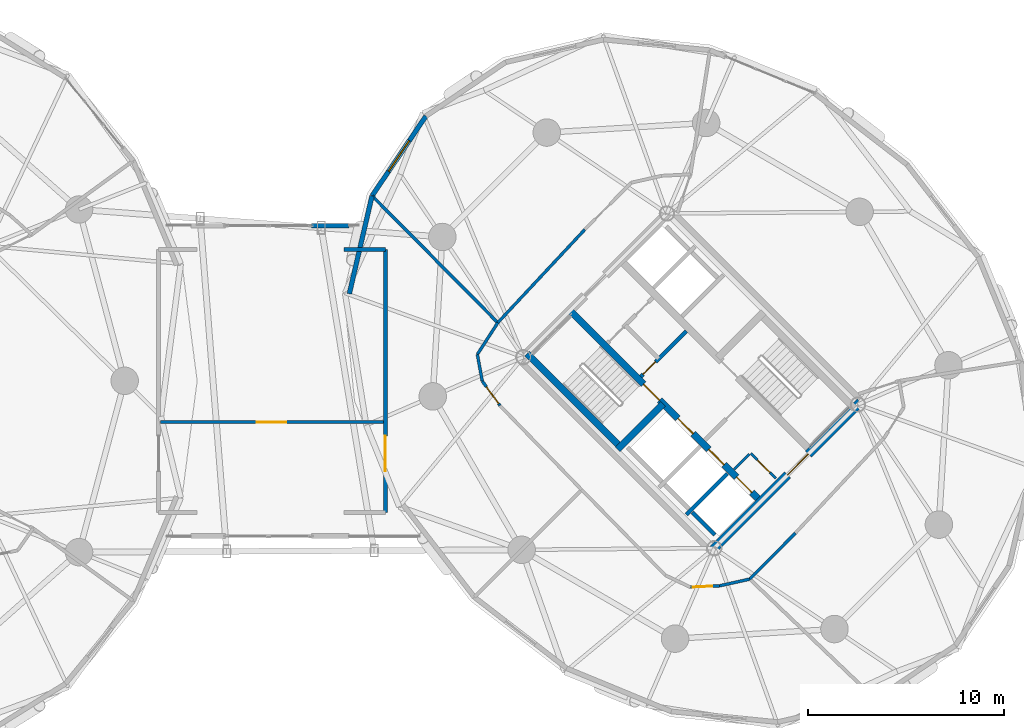
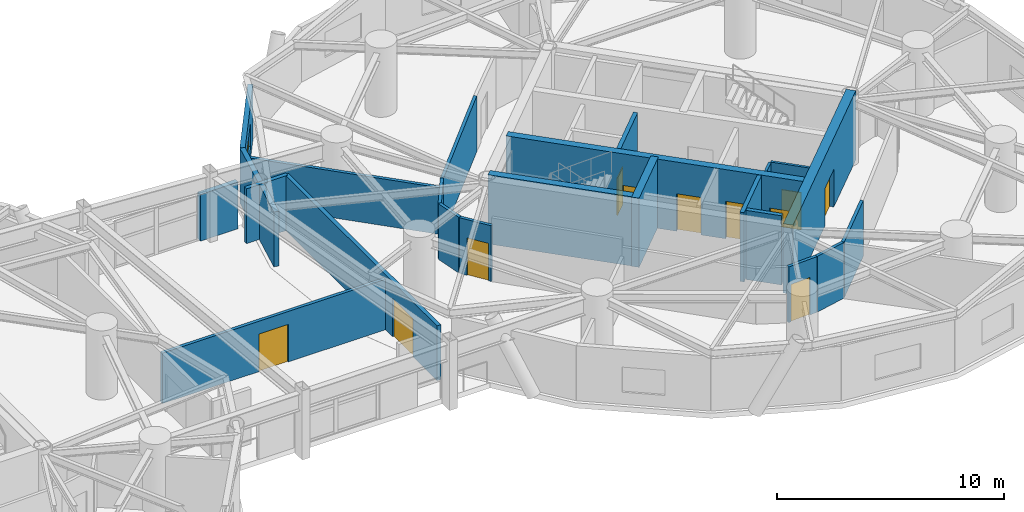
# One storey, part 15 of 19: 23 walls, 11 doors, 1 window, 12 openings.
"""IFC4 building model written with IfcOpenShell, lengths in metres."""

import ifcopenshell
import ifcopenshell.guid

model = None  # the IFC model being written
_history = None  # IfcOwnerHistory: only IFC2X3 demands one
_inside = {}  # id of a spatial element -> (the spatial element, [elements in it])
_under = {}  # id of a project, library or spatial element -> (it, [spatial elements below it])
_declared = {}  # id of a project -> (the project, [libraries it declares])
_typed = {}  # id of a type object -> (the type object, [elements of that type])
_made_of = {}  # id of a material, layer set ... -> (it, [elements and type objects made of it])


def new_model(schema):
    """Start an empty IFC model of exactly this schema.

    Asked for "IFC4X3", IfcOpenShell would pick the latest addendum, in which some entities
    have other attributes; the version numbers below select the first issue.
    IFC2X3 requires an IfcOwnerHistory on every rooted entity: one is made here for all.
    """
    global model, _history
    if schema == "IFC4X3":
        model = ifcopenshell.file(schema_version=(4, 3, 0, 0))
    else:
        model = ifcopenshell.file(schema=schema)
    _inside.clear()
    _under.clear()
    _declared.clear()
    _typed.clear()
    _made_of.clear()
    _history = None
    if model.schema == "IFC2X3":
        org = make("IfcOrganization", Name="unknown")
        user = make(
            "IfcPersonAndOrganization",
            ThePerson=make("IfcPerson", FamilyName="unknown"),
            TheOrganization=org,
        )
        app = make(
            "IfcApplication",
            ApplicationDeveloper=org,
            Version="unknown",
            ApplicationFullName="unknown",
            ApplicationIdentifier="unknown",
        )
        _history = make(
            "IfcOwnerHistory",
            OwningUser=user,
            OwningApplication=app,
            ChangeAction="ADDED",
            CreationDate=0,
        )
    return model


def make(cls, **values):
    """One entity of the class cls with the attributes given. An attribute that is None is left unset."""
    return model.create_entity(
        cls, **{name: value for name, value in values.items() if value is not None}
    )


def rooted(cls, **values):
    """An entity with a GlobalId (a new one), such as an element, a storey or a relation."""
    return make(cls, GlobalId=ifcopenshell.guid.new(), OwnerHistory=_history, **values)


def si_unit(unit_type, name, prefix=None):
    """IfcSIUnit, for example si_unit("LENGTHUNIT", "METRE", prefix="MILLI")."""
    return make("IfcSIUnit", UnitType=unit_type, Prefix=prefix, Name=name)


def assignment(units):
    """IfcUnitAssignment: the units of a project."""
    return None if units is None else make("IfcUnitAssignment", Units=units)


def point(xyz):
    """IfcCartesianPoint."""
    return None if xyz is None else make("IfcCartesianPoint", Coordinates=xyz)


def direction(xyz):
    """IfcDirection."""
    return None if xyz is None else make("IfcDirection", DirectionRatios=xyz)


def frame(location, z_axis=None, x_axis=None):
    """IfcAxis2Placement3D, a coordinate frame: its origin and axes. An axis left out is left unset."""
    return make(
        "IfcAxis2Placement3D",
        Location=point(location),
        Axis=direction(z_axis),
        RefDirection=direction(x_axis),
    )


def frame_2d(location, x_axis=None):
    """IfcAxis2Placement2D, a coordinate frame in the plane: its origin and x axis."""
    return make(
        "IfcAxis2Placement2D", Location=point(location), RefDirection=direction(x_axis)
    )


def origin():
    """The frame at (0, 0, 0) with its axes left unset."""
    return frame((0.0, 0.0, 0.0))


def place(relative_to, where):
    """IfcLocalPlacement: puts the frame where relative to a parent placement (None: the world)."""
    return make(
        "IfcLocalPlacement", PlacementRelTo=relative_to, RelativePlacement=where
    )


def context(
    kind, dimensions, precision=None, world=None, true_north=None, identifier=None
):
    """IfcGeometricRepresentationContext, for example the 3D "Model" context."""
    return make(
        "IfcGeometricRepresentationContext",
        ContextIdentifier=identifier,
        ContextType=kind,
        CoordinateSpaceDimension=dimensions,
        Precision=precision,
        WorldCoordinateSystem=world,
        TrueNorth=true_north,
    )


def subcontext(parent, identifier, kind, view, scale=None):
    """IfcGeometricRepresentationSubContext, for example "Body" below "Model"."""
    return make(
        "IfcGeometricRepresentationSubContext",
        ContextIdentifier=identifier,
        ContextType=kind,
        ParentContext=parent,
        TargetScale=scale,
        TargetView=view,
    )


def project(units=None, contexts=None):
    """IfcProject with its units and contexts."""
    return rooted(
        "IfcProject",
        Name="project",
        RepresentationContexts=contexts,
        UnitsInContext=assignment(units),
    )


def spatial(cls, under=None, at=None, **own):
    """A site, building, storey or space (cls), placed at a placement, below another one or the project."""
    s = rooted(cls, ObjectPlacement=at, **own)
    if under is not None:
        _under.setdefault(under.id(), (under, []))[1].append(s)
    return s


def profile(cls, at=None, kind="AREA", **sizes):
    """A parametric profile (cls). Its sizes go by their IFC names, for example OverallWidth=200.0."""
    return make(cls, ProfileType=kind, Position=at, **sizes)


def rectangle(**sizes):
    """IfcRectangleProfileDef."""
    return profile("IfcRectangleProfileDef", **sizes)


def extrude(swept, where, along, depth):
    """IfcExtrudedAreaSolid: the profile swept, set in the frame where, extruded along a direction by depth."""
    return make(
        "IfcExtrudedAreaSolid",
        SweptArea=swept,
        Position=where,
        ExtrudedDirection=direction(along),
        Depth=depth,
    )


def shape(context_of_items, identifier, shape_type, items):
    """IfcShapeRepresentation: the items that make up one representation, for example the "Body"."""
    return make(
        "IfcShapeRepresentation",
        ContextOfItems=context_of_items,
        RepresentationIdentifier=identifier,
        RepresentationType=shape_type,
        Items=items,
    )


def source(mapping_origin, context_of_items, identifier, shape_type, items):
    """IfcRepresentationMap: a shape defined once, which mapped items show again and again."""
    return make(
        "IfcRepresentationMap",
        MappingOrigin=mapping_origin,
        MappedRepresentation=shape(context_of_items, identifier, shape_type, items),
    )


def transform(
    local_origin,
    x_axis=None,
    y_axis=None,
    z_axis=None,
    scale=None,
    scale2=None,
    scale3=None,
    uniform=True,
):
    """IfcCartesianTransformationOperator3D, or its non-uniform kind. x_axis, y_axis, z_axis: its Axis1, 2, 3."""
    if uniform:
        return make(
            "IfcCartesianTransformationOperator3D",
            Axis1=direction(x_axis),
            Axis2=direction(y_axis),
            LocalOrigin=point(local_origin),
            Scale=scale,
            Axis3=direction(z_axis),
        )
    return make(
        "IfcCartesianTransformationOperator3DnonUniform",
        Axis1=direction(x_axis),
        Axis2=direction(y_axis),
        LocalOrigin=point(local_origin),
        Scale=scale,
        Axis3=direction(z_axis),
        Scale2=scale2,
        Scale3=scale3,
    )


def mapped(mapping_source, mapping_target):
    """IfcMappedItem: shows the shape of a source again, moved by a transform."""
    return make(
        "IfcMappedItem", MappingSource=mapping_source, MappingTarget=mapping_target
    )


def material(Name=None, Category=None):
    """IfcMaterial."""
    return make("IfcMaterial", Name=Name, Category=Category)


def layer(
    of_material, thickness, ventilated=None, Name=None, Category=None, Priority=None
):
    """IfcMaterialLayer: one layer of a wall or slab, of a material (None: an air gap)."""
    return make(
        "IfcMaterialLayer",
        Material=of_material,
        LayerThickness=thickness,
        IsVentilated=ventilated,
        Name=Name,
        Category=Category,
        Priority=Priority,
    )


def layer_set(layers, Name=None):
    """IfcMaterialLayerSet."""
    return make("IfcMaterialLayerSet", MaterialLayers=layers, LayerSetName=Name)


def made_of(thing, what):
    """Note that an element or type object is made of a material, layer set ...; save() writes the relation."""
    if what is not None:
        _made_of.setdefault(what.id(), (what, []))[1].append(thing)
    return thing


def type_object(cls, material=None, **own):
    """A type object (cls), such as IfcWallType, which elements share."""
    return made_of(rooted(cls, **own), material)


def element(
    cls,
    number,
    at=None,
    inside=None,
    cuts=None,
    type_object=None,
    material=None,
    context=None,
    identifier="Body",
    shape_type=None,
    held_by="IfcProductDefinitionShape",
    body=None,
    shapes=None,
    **own,
):
    """One element of the class cls, such as IfcWall. Its Tag is "e" and its number.

    at: its placement. inside: the storey or other place that contains it. cuts: it is an
    opening in that element (IfcRelVoidsElement). A single representation is given by context,
    identifier, shape_type and body (its items); several are given by shapes. held_by: the class
    of the entity that holds the representations. save() writes the other relations.
    """
    e = rooted(cls, Tag="e%d" % number, ObjectPlacement=at, **own)
    if body is not None:
        shapes = [shape(context, identifier, shape_type, body)]
    if shapes is not None:
        e.Representation = make(held_by, Representations=shapes)
    if inside is not None:
        _inside.setdefault(inside.id(), (inside, []))[1].append(e)
    if cuts is not None:
        rooted(
            "IfcRelVoidsElement", RelatingBuildingElement=cuts, RelatedOpeningElement=e
        )
    if type_object is not None:
        _typed.setdefault(type_object.id(), (type_object, []))[1].append(e)
    return made_of(e, material)


def fill(opening, filler):
    """IfcRelFillsElement: the door or window that sits in an opening."""
    return rooted(
        "IfcRelFillsElement",
        RelatingOpeningElement=opening,
        RelatedBuildingElement=filler,
    )


def aggregate(whole, parts):
    """IfcRelAggregates: a whole, such as a stair, and the parts it consists of."""
    return rooted("IfcRelAggregates", RelatingObject=whole, RelatedObjects=parts)


def save(model, path):
    """Write the relations noted so far, then the file.

    IfcRelAggregates (storeys below a building ...), IfcRelContainedInSpatialStructure (elements
    in a storey), IfcRelDefinesByType, IfcRelAssociatesMaterial and IfcRelDeclares: one each for
    every whole, place, type object, material and project.
    """
    for whole, parts in _under.values():
        aggregate(whole, parts)
    for where, things in _inside.values():
        rooted(
            "IfcRelContainedInSpatialStructure",
            RelatedElements=things,
            RelatingStructure=where,
        )
    for kind, things in _typed.values():
        rooted("IfcRelDefinesByType", RelatedObjects=things, RelatingType=kind)
    for what, things in _made_of.values():
        rooted("IfcRelAssociatesMaterial", RelatedObjects=things, RelatingMaterial=what)
    for by, libraries in _declared.values():
        rooted("IfcRelDeclares", RelatingContext=by, RelatedDefinitions=libraries)
    model.write(path)


model = new_model("IFC4")

# Units and contexts
model_context = context("Model", 3, precision=1e-05, world=origin(), true_north=direction((0.0, 1.0)))
body_context = subcontext(model_context, "Body", "Model", "MODEL_VIEW")
ifc_project = project(units=[si_unit("LENGTHUNIT", "METRE"), si_unit("AREAUNIT", "SQUARE_METRE"), si_unit("VOLUMEUNIT", "CUBIC_METRE"), si_unit("PLANEANGLEUNIT", "RADIAN"), si_unit("MASSUNIT", "GRAM", prefix="KILO")], contexts=[model_context])

# Site, building, storey
site_placement = place(None, origin())
site = spatial("IfcSite", under=ifc_project, at=site_placement, CompositionType="ELEMENT")
building_placement = place(site_placement, origin())
building = spatial("IfcBuilding", under=site, at=building_placement, Name="Cununo Teusaquillo Station Towers", CompositionType="ELEMENT")
storey_placement = place(building_placement, frame((0.0, 0.0, 132.8798828125)))
storey = spatial("IfcBuildingStorey", under=building, at=storey_placement, Name="L42", CompositionType="ELEMENT", Elevation=132.8798828125)

# Walls
ifc_material_1 = material(Name="Concrete C50/60", Category="concrete")
ifc_layer_1 = layer(ifc_material_1, 0.199951171875)
ifc_layer_set_1 = layer_set([ifc_layer_1], Name="Concrete C50/60")
wall_type_1 = type_object("IfcWallType", Name="WL-CORE-200", PredefinedType="SHEAR", material=ifc_layer_set_1)
wall_1_placement = place(storey_placement, frame((57.2841796875, 17.6728515625, 0.0), z_axis=(0.0, 0.0, 1.0), x_axis=(0.707147878904, 0.70706568108, 0.0)))
element("IfcWall", 1, at=wall_1_placement, inside=storey, type_object=wall_type_1, Name="L42 Tower B High-Rise Lift Hoistway Divider Shear Wall", PredefinedType="SHEAR", context=body_context, shape_type="SweptSolid", body=[
    extrude(rectangle(XDim=2.97021484375, YDim=0.199951171875, at=frame_2d((1.485107421875, 0.0))), origin(), (0.0, 0.0, 1.0), 3.72021484375),
])
wall_2_placement = place(storey_placement, frame((58.7373046875, 16.64404296875, 0.0), z_axis=(0.0, 0.0, 1.0), x_axis=(-0.707032117043, 0.707181437447, 0.0)))
element("IfcWall", 2, at=wall_2_placement, inside=storey, type_object=wall_type_1, Name="L42 Tower B High-Rise Lift 1 Shaft Rear Shear Wall", PredefinedType="SHEAR", context=body_context, shape_type="SweptSolid", body=[
    extrude(rectangle(XDim=1.635009765625, YDim=0.199951171875, at=frame_2d((0.8173828125, 0.0))), origin(), (0.0, 0.0, 1.0), 3.72021484375),
])

# Wall, openings, doors
ifc_material_2 = material(Name="Concrete C50/60", Category="concrete")
ifc_layer_2 = layer(ifc_material_2, 0.35009765625)
ifc_layer_set_2 = layer_set([ifc_layer_2], Name="Concrete C50/60")
wall_type_2 = type_object("IfcWallType", Name="WL-CORE-350", PredefinedType="SHEAR", material=ifc_layer_set_2)
wall_3_placement = place(storey_placement, frame((61.077880859375, 18.355224609375, 0.0), z_axis=(0.0, 0.0, 1.0), x_axis=(-0.707106781187, 0.707106781187, 0.0)))
wall_3 = element("IfcWall", 3, at=wall_3_placement, inside=storey, type_object=wall_type_2, Name="L42 Tower B Core Shear Wall IW", PredefinedType="SHEAR", context=body_context, shape_type="SweptSolid", body=[
    extrude(rectangle(XDim=13.75, YDim=0.35009765625, at=frame_2d((6.875, 0.0))), origin(), (0.0, 0.0, 1.0), 3.72021484375),
])
shared_shape_1 = source(origin(), body_context, "Body", "SweptSolid", [
    extrude(rectangle(XDim=1.10009765625, YDim=2.014892578125, at=frame_2d((0.550048828125, 1.00732421875))), frame((0.0, 0.18505859375, 0.0), z_axis=(0.0, -1.0, 0.0), x_axis=(1.0, 0.0, 0.0)), (0.0, 0.0, 1.0), 0.3701171875),
])
opening_1_placement = place(wall_3_placement, frame((4.875, 0.0, 0.0)))
opening_1 = element("IfcOpeningElement", 4, at=opening_1_placement, cuts=wall_3, Name="Opening LD-01", PredefinedType="OPENING", context=body_context, shape_type="MappedRepresentation", body=[
    mapped(shared_shape_1, transform((0.0, 0.0, 0.0), x_axis=(1.0, 0.0, 0.0), y_axis=(0.0, 1.0, 0.0), z_axis=(0.0, 0.0, 1.0), scale=1.0)),
])
opening_2_placement = place(wall_3_placement, frame((0.64990234375, 0.0, 0.0)))
opening_2 = element("IfcOpeningElement", 5, at=opening_2_placement, cuts=wall_3, Name="Opening LD-01", PredefinedType="OPENING", context=body_context, shape_type="MappedRepresentation", body=[
    mapped(shared_shape_1, transform((0.0, 0.0, 0.0), x_axis=(1.0, 0.0, 0.0), y_axis=(0.0, 1.0, 0.0), z_axis=(0.0, 0.0, 1.0), scale=1.0)),
])
opening_3_placement = place(wall_3_placement, frame((2.64990234375, 0.0, 0.0)))
opening_3 = element("IfcOpeningElement", 6, at=opening_3_placement, cuts=wall_3, Name="Opening LD-01", PredefinedType="OPENING", context=body_context, shape_type="MappedRepresentation", body=[
    mapped(shared_shape_1, transform((0.0, 0.0, 0.0), x_axis=(1.0, 0.0, 0.0), y_axis=(0.0, 1.0, 0.0), z_axis=(0.0, 0.0, 1.0), scale=1.0)),
])
shared_shape_2 = source(origin(), body_context, "Body", "SweptSolid", [
    extrude(rectangle(XDim=1.14990234375, YDim=2.02001953125, at=frame_2d((0.574951171875, 1.010009765625))), frame((0.0, 0.18505859375, 0.0), z_axis=(0.0, -1.0, 0.0), x_axis=(1.0, 0.0, 0.0)), (0.0, 0.0, 1.0), 0.3701171875),
])
opening_4_placement = place(wall_3_placement, frame((7.294921875, 0.0, 0.0)))
opening_4 = element("IfcOpeningElement", 7, at=opening_4_placement, cuts=wall_3, Name="Opening D-ST1", PredefinedType="OPENING", context=body_context, shape_type="MappedRepresentation", body=[
    mapped(shared_shape_2, transform((0.0, 0.0, 0.0), x_axis=(1.0, 0.0, 0.0), y_axis=(0.0, 1.0, 0.0), z_axis=(0.0, 0.0, 1.0), scale=1.0)),
])
ifc_material_3 = material(Name="Galvanised fire-rated hollow steel door assembly", Category="steel")
door_type_1 = type_object("IfcDoorType", Name="DR-LIFT-1100", OperationType="SLIDING_TO_LEFT", PredefinedType="DOOR", material=ifc_material_3)
shared_shape_3 = source(origin(), body_context, "Body", "SweptSolid", [
    extrude(rectangle(XDim=1.10009765625, YDim=2.014892578125, at=frame_2d((0.550048828125, 1.00732421875))), frame((0.0, 0.02490234375, 0.0), z_axis=(0.0, -1.0, 0.0), x_axis=(1.0, 0.0, 0.0)), (0.0, 0.0, 1.0), 0.050048828125),
])
door_1_placement = place(opening_1_placement, origin())
door_1 = element("IfcDoor", 8, at=door_1_placement, inside=storey, type_object=door_type_1, Name="L42 Lift FL-T2 Sliding Landing Door", OperationType="SLIDING_TO_RIGHT", OverallHeight=2.014892578125, OverallWidth=1.10009765625, PredefinedType="DOOR", context=body_context, shape_type="MappedRepresentation", body=[
    mapped(shared_shape_3, transform((0.0, 0.0, 0.0), x_axis=(1.0, 0.0, 0.0), y_axis=(0.0, 1.0, 0.0), z_axis=(0.0, 0.0, 1.0), scale=1.0)),
])
fill(opening_1, door_1)
door_2_placement = place(opening_2_placement, origin())
door_2 = element("IfcDoor", 9, at=door_2_placement, inside=storey, type_object=door_type_1, Name="L42 Lift PL-T2-H1 Sliding Landing Door", OperationType="SLIDING_TO_RIGHT", OverallHeight=2.014892578125, OverallWidth=1.10009765625, PredefinedType="DOOR", context=body_context, shape_type="MappedRepresentation", body=[
    mapped(shared_shape_3, transform((0.0, 0.0, 0.0), x_axis=(1.0, 0.0, 0.0), y_axis=(0.0, 1.0, 0.0), z_axis=(0.0, 0.0, 1.0), scale=1.0)),
])
fill(opening_2, door_2)
door_3_placement = place(opening_3_placement, origin())
door_3 = element("IfcDoor", 10, at=door_3_placement, inside=storey, type_object=door_type_1, Name="L42 Lift PL-T2-H2 Sliding Landing Door", OperationType="SLIDING_TO_LEFT", OverallHeight=2.014892578125, OverallWidth=1.10009765625, PredefinedType="DOOR", context=body_context, shape_type="MappedRepresentation", body=[
    mapped(shared_shape_3, transform((0.0, 0.0, 0.0), x_axis=(1.0, 0.0, 0.0), y_axis=(0.0, 1.0, 0.0), z_axis=(0.0, 0.0, 1.0), scale=1.0)),
])
fill(opening_3, door_3)
ifc_material_4 = material(Name="Galvanised fire-rated hollow steel door assembly", Category="steel")
door_type_2 = type_object("IfcDoorType", Name="DR-STAIR-1150", OperationType="NOTDEFINED", PredefinedType="DOOR", material=ifc_material_4)
shared_shape_4 = source(origin(), body_context, "Body", "SweptSolid", [
    extrude(rectangle(XDim=1.14990234375, YDim=2.02001953125, at=frame_2d((0.574951171875, 1.010009765625))), frame((0.0, 0.02490234375, 0.0), z_axis=(0.0, -1.0, 0.0), x_axis=(1.0, 0.0, 0.0)), (0.0, 0.0, 1.0), 0.050048828125),
])
door_4_placement = place(opening_4_placement, origin())
door_4 = element("IfcDoor", 11, at=door_4_placement, inside=storey, type_object=door_type_2, Name="L42 Tower B Exit Stair 1 Fire Door", OperationType="SINGLE_SWING_RIGHT", OverallHeight=2.02001953125, OverallWidth=1.14990234375, PredefinedType="DOOR", context=body_context, shape_type="MappedRepresentation", body=[
    mapped(shared_shape_4, transform((0.0, 0.0, 0.0), x_axis=(1.0, 0.0, 0.0), y_axis=(0.0, 1.0, 0.0), z_axis=(0.0, 0.0, 1.0), scale=1.0)),
])
fill(opening_4, door_4)

# Walls
wall_4_placement = place(storey_placement, frame((53.922119140625, 21.14111328125, 0.0), z_axis=(0.0, 0.0, 1.0), x_axis=(-0.707088616009, 0.707124945897, 0.0)))
element("IfcWall", 12, at=wall_4_placement, inside=storey, type_object=wall_type_2, Name="L42 Tower B Core Shear Wall ST1W", PredefinedType="SHEAR", context=body_context, shape_type="SweptSolid", body=[
    extrude(rectangle(XDim=6.72021484375, YDim=0.35009765625, at=frame_2d((3.360107421875, 0.0))), origin(), (0.0, 0.0, 1.0), 3.72021484375),
])
wall_5_placement = place(storey_placement, frame((53.7841796875, 21.00341796875, 0.0), z_axis=(0.0, 0.0, 1.0), x_axis=(0.707106781187, 0.707106781187, 0.0)))
element("IfcWall", 13, at=wall_5_placement, inside=storey, type_object=wall_type_2, Name="L42 Tower B Core Shear Wall ST1S", PredefinedType="SHEAR", context=body_context, shape_type="SweptSolid", body=[
    extrude(rectangle(XDim=3.284912109375, YDim=0.35009765625, at=frame_2d((1.642578125, 0.0))), origin(), (0.0, 0.0, 1.0), 3.72021484375),
])

# Wall, opening, door
ifc_material_5 = material(Name="Concrete C60/75", Category="concrete")
ifc_layer_3 = layer(ifc_material_5, 0.449951171875)
ifc_layer_set_3 = layer_set([ifc_layer_3], Name="Concrete C60/75")
wall_type_3 = type_object("IfcWallType", Name="WL-CORE-450", PredefinedType="SHEAR", material=ifc_layer_set_3)
wall_6_placement = place(storey_placement, frame((58.578369140625, 15.855712890625, 0.0), z_axis=(0.0, 0.0, 1.0), x_axis=(0.707106781187, 0.707106781187, 0.0)))
wall_6 = element("IfcWall", 14, at=wall_6_placement, inside=storey, type_object=wall_type_3, Name="L42 Tower B Core Shear Wall S", PredefinedType="SHEAR", context=body_context, shape_type="SweptSolid", body=[
    extrude(rectangle(XDim=10.69970703125, YDim=0.449951171875, at=frame_2d((5.349853515625, 0.0))), origin(), (0.0, 0.0, 1.0), 3.72021484375),
])
shared_shape_5 = source(origin(), body_context, "Body", "SweptSolid", [
    extrude(rectangle(XDim=1.5, YDim=2.02001953125, at=frame_2d((0.75, 1.010009765625))), frame((0.0, 0.23486328125, 0.0), z_axis=(0.0, -1.0, 0.0), x_axis=(1.0, 0.0, 0.0)), (0.0, 0.0, 1.0), 0.469970703125),
])
opening_5_placement = place(wall_6_placement, frame((5.449951171875, 0.0, 0.0)))
opening_5 = element("IfcOpeningElement", 15, at=opening_5_placement, cuts=wall_6, Name="Opening D-LB1", PredefinedType="OPENING", context=body_context, shape_type="MappedRepresentation", body=[
    mapped(shared_shape_5, transform((0.0, 0.0, 0.0), x_axis=(1.0, 0.0, 0.0), y_axis=(0.0, 1.0, 0.0), z_axis=(0.0, 0.0, 1.0), scale=1.0)),
])
ifc_material_6 = material(Name="Galvanised fire-rated hollow steel door assembly", Category="steel")
door_type_3 = type_object("IfcDoorType", Name="DR-LOBBY-1500", OperationType="DOUBLE_DOOR_SINGLE_SWING", PredefinedType="DOOR", material=ifc_material_6)
shared_shape_6 = source(origin(), body_context, "Body", "SweptSolid", [
    extrude(rectangle(XDim=1.5, YDim=2.02001953125, at=frame_2d((0.75, 1.010009765625))), frame((0.0, 0.02490234375, 0.0), z_axis=(0.0, -1.0, 0.0), x_axis=(1.0, 0.0, 0.0)), (0.0, 0.0, 1.0), 0.050048828125),
])
door_5_placement = place(opening_5_placement, origin())
door_5 = element("IfcDoor", 16, at=door_5_placement, inside=storey, type_object=door_type_3, Name="L42 Tower B South Core Lift Lobby Door", OperationType="DOUBLE_DOOR_SINGLE_SWING", OverallHeight=2.02001953125, OverallWidth=1.5, PredefinedType="DOOR", context=body_context, shape_type="MappedRepresentation", body=[
    mapped(shared_shape_6, transform((0.0, 0.0, 0.0), x_axis=(1.0, 0.0, 0.0), y_axis=(0.0, 1.0, 0.0), z_axis=(0.0, 0.0, 1.0), scale=1.0)),
])
fill(opening_5, door_5)

# Wall, opening, window
ifc_material_7 = material(Name="Precast concrete C40/50", Category="concrete")
ifc_layer_4 = layer(ifc_material_7, 0.239990234375)
ifc_layer_set_4 = layer_set([ifc_layer_4], Name="Precast concrete C40/50")
wall_type_4 = type_object("IfcWallType", Name="WL-EXT-240", PredefinedType="SOLIDWALL", material=ifc_layer_set_4)
wall_7_placement = place(storey_placement, frame((41.27099609375, 33.919921875, 0.0), z_axis=(0.0, 0.0, 1.0), x_axis=(0.559572880421, 0.828781148131, 0.0)))
wall_7 = element("IfcWall", 17, at=wall_7_placement, inside=storey, type_object=wall_type_4, Name="L42 Tower B Exterior Facade Wall C05", PredefinedType="SOLIDWALL", context=body_context, shape_type="SweptSolid", body=[
    extrude(rectangle(XDim=4.904541015625, YDim=0.239990234375, at=frame_2d((2.4521484375, 0.0))), origin(), (0.0, 0.0, 1.0), 2.94921875),
])
shared_shape_7 = source(origin(), body_context, "Body", "SweptSolid", [
    extrude(rectangle(XDim=1.89990234375, YDim=1.35009765625, at=frame_2d((0.949951171875, 0.675048828125))), frame((0.0, 0.1298828125, 0.0), z_axis=(0.0, -1.0, 0.0), x_axis=(1.0, 0.0, 0.0)), (0.0, 0.0, 1.0), 0.260009765625),
])
opening_6_placement = place(wall_7_placement, frame((1.501953125, 0.0, 0.64990234375)))
opening_6 = element("IfcOpeningElement", 18, at=opening_6_placement, cuts=wall_7, Name="Opening WN-02", PredefinedType="OPENING", context=body_context, shape_type="MappedRepresentation", body=[
    mapped(shared_shape_7, transform((0.0, 0.0, 0.0), x_axis=(1.0, 0.0, 0.0), y_axis=(0.0, 1.0, 0.0), z_axis=(0.0, 0.0, 1.0), scale=1.0)),
])
ifc_material_8 = material(Name="Operable acoustic tinted low-E double glazing", Category="glass")
window_type = type_object("IfcWindowType", Name="WIN-OPER-1900", PartitioningType="DOUBLE_PANEL_VERTICAL", PredefinedType="WINDOW", material=ifc_material_8)
shared_shape_8 = source(origin(), body_context, "Body", "SweptSolid", [
    extrude(rectangle(XDim=1.89990234375, YDim=1.35009765625, at=frame_2d((0.949951171875, 0.675048828125))), frame((0.0, 0.030029296875, 0.0), z_axis=(0.0, -1.0, 0.0), x_axis=(1.0, 0.0, 0.0)), (0.0, 0.0, 1.0), 0.06005859375),
])
window_placement = place(opening_6_placement, origin())
window = element("IfcWindow", 19, at=window_placement, inside=storey, type_object=window_type, Name="L42 Tower B Facade Window C05", OverallHeight=1.35009765625, OverallWidth=1.89990234375, PartitioningType="DOUBLE_PANEL_VERTICAL", PredefinedType="WINDOW", context=body_context, shape_type="MappedRepresentation", body=[
    mapped(shared_shape_8, transform((0.0, 0.0, 0.0), x_axis=(1.0, 0.0, 0.0), y_axis=(0.0, 1.0, 0.0), z_axis=(0.0, 0.0, 1.0), scale=1.0)),
])
fill(opening_6, window)

# Walls
wall_8_placement = place(storey_placement, frame((40.114990234375, 28.933349609375, 0.0), z_axis=(0.0, 0.0, 1.0), x_axis=(0.225834725257, 0.974165631126, 0.0)))
element("IfcWall", 20, at=wall_8_placement, inside=storey, type_object=wall_type_4, Name="L42 Tower B Exterior Facade Wall C06", PredefinedType="SOLIDWALL", context=body_context, shape_type="SweptSolid", body=[
    extrude(rectangle(XDim=5.118896484375, YDim=0.239990234375, at=frame_2d((2.5595703125, 0.0))), origin(), (0.0, 0.0, 1.0), 2.94921875),
])
wall_9_placement = place(storey_placement, frame((38.179931640625, 32.39990234375, 0.0), z_axis=(0.0, 0.0, 1.0), x_axis=(1.0, 0.0, 0.0)))
element("IfcWall", 21, at=wall_9_placement, inside=storey, type_object=wall_type_4, Name="L42 Mid-Bridge N End Spandrel B", PredefinedType="SOLIDWALL", context=body_context, shape_type="SweptSolid", body=[
    extrude(rectangle(XDim=1.920166015625, YDim=0.239990234375, at=frame_2d((0.9599609375, 0.0))), origin(), (0.0, 0.0, 1.0), 2.51220703125),
])

# Wall, opening, door
ifc_material_9 = material(Name="Fire-rated gypsum plasterboard partition assembly", Category="gypsum")
ifc_layer_5 = layer(ifc_material_9, 0.125)
ifc_layer_set_5 = layer_set([ifc_layer_5], Name="Fire-rated gypsum plasterboard partition assembly")
wall_type_5 = type_object("IfcWallType", Name="WL-PART-125", PredefinedType="PARTITIONING", material=ifc_layer_set_5)
wall_10_placement = place(storey_placement, frame((61.834716796875, 19.529052734375, 0.0), z_axis=(0.0, 0.0, 1.0), x_axis=(-0.707174592913, 0.707038962956, 0.0)))
wall_10 = element("IfcWall", 22, at=wall_10_placement, inside=storey, type_object=wall_type_5, Name="L42 Tower B South-West Compact Store East Wall", PredefinedType="PARTITIONING", context=body_context, shape_type="SweptSolid", body=[
    extrude(rectangle(XDim=1.800048828125, YDim=0.125, at=frame_2d((0.89990234375, 0.0))), origin(), (0.0, 0.0, 1.0), 3.425048828125),
])
shared_shape_9 = source(origin(), body_context, "Body", "SweptSolid", [
    extrude(rectangle(XDim=0.89990234375, YDim=2.0048828125, at=frame_2d((0.449951171875, 1.00244140625))), frame((0.0, 0.072509765625, 0.0), z_axis=(0.0, -1.0, 0.0), x_axis=(1.0, 0.0, 0.0)), (0.0, 0.0, 1.0), 0.14501953125),
])
opening_7_placement = place(wall_10_placement, frame((0.419921875, 0.0, 0.0)))
opening_7 = element("IfcOpeningElement", 23, at=opening_7_placement, cuts=wall_10, Name="Opening D-SR1", PredefinedType="OPENING", context=body_context, shape_type="MappedRepresentation", body=[
    mapped(shared_shape_9, transform((0.0, 0.0, 0.0), x_axis=(1.0, 0.0, 0.0), y_axis=(0.0, 1.0, 0.0), z_axis=(0.0, 0.0, 1.0), scale=1.0)),
])
ifc_material_10 = material(Name="Galvanised fire-rated hollow steel door assembly", Category="steel")
door_type_4 = type_object("IfcDoorType", Name="DR-STORE-900", OperationType="NOTDEFINED", PredefinedType="DOOR", material=ifc_material_10)
shared_shape_10 = source(origin(), body_context, "Body", "SweptSolid", [
    extrude(rectangle(XDim=0.89990234375, YDim=2.0048828125, at=frame_2d((0.449951171875, 1.00244140625))), frame((0.0, 0.02490234375, 0.0), z_axis=(0.0, -1.0, 0.0), x_axis=(1.0, 0.0, 0.0)), (0.0, 0.0, 1.0), 0.050048828125),
])
door_6_placement = place(opening_7_placement, origin())
door_6 = element("IfcDoor", 24, at=door_6_placement, inside=storey, type_object=door_type_4, Name="L42 Tower B Core Electrical & Comms Store Door", OperationType="SINGLE_SWING_RIGHT", OverallHeight=2.0048828125, OverallWidth=0.89990234375, PredefinedType="DOOR", context=body_context, shape_type="MappedRepresentation", body=[
    mapped(shared_shape_10, transform((0.0, 0.0, 0.0), x_axis=(1.0, 0.0, 0.0), y_axis=(0.0, 1.0, 0.0), z_axis=(0.0, 0.0, 1.0), scale=1.0)),
])
fill(opening_7, door_6)

# Walls
wall_11_placement = place(storey_placement, frame((59.713134765625, 19.99560546875, 0.0), z_axis=(0.0, 0.0, 1.0), x_axis=(0.707217726, 0.706995818963, 0.0)))
element("IfcWall", 25, at=wall_11_placement, inside=storey, type_object=wall_type_5, Name="L42 Tower B South-West Compact Store North Wall", PredefinedType="PARTITIONING", context=body_context, shape_type="SweptSolid", body=[
    extrude(rectangle(XDim=1.10009765625, YDim=0.125, at=frame_2d((0.550048828125, 0.0))), origin(), (0.0, 0.0, 1.0), 3.425048828125),
])
ifc_material_11 = material(Name="Fire-rated gypsum plasterboard partition assembly", Category="gypsum")
ifc_layer_6 = layer(ifc_material_11, 0.14990234375)
ifc_layer_set_6 = layer_set([ifc_layer_6], Name="Fire-rated gypsum plasterboard partition assembly")
wall_type_6 = type_object("IfcWallType", Name="WL-PART-150", PredefinedType="PARTITIONING", material=ifc_layer_set_6)
wall_12_placement = place(storey_placement, frame((52.10693359375, 32.201904296875, 0.0), z_axis=(0.0, 0.0, 1.0), x_axis=(-0.682605209028, -0.730787334734, 0.0)))
element("IfcWall", 26, at=wall_12_placement, inside=storey, type_object=wall_type_6, Name="L42 Tower B Corridor Ring Wall C05", PredefinedType="PARTITIONING", context=body_context, shape_type="SweptSolid", body=[
    extrude(rectangle(XDim=6.48583984375, YDim=0.14990234375, at=frame_2d((3.242919921875, 0.0))), origin(), (0.0, 0.0, 1.0), 2.9951171875),
])
wall_13_placement = place(storey_placement, frame((47.6796875, 27.462158203125, 0.0), z_axis=(0.0, 0.0, 1.0), x_axis=(-0.542097952486, -0.840315303865, 0.0)))
element("IfcWall", 27, at=wall_13_placement, inside=storey, type_object=wall_type_6, Name="L42 Tower B Corridor Ring Wall C06", PredefinedType="PARTITIONING", context=body_context, shape_type="SweptSolid", body=[
    extrude(rectangle(XDim=1.923095703125, YDim=0.14990234375, at=frame_2d((0.96142578125, 0.0))), origin(), (0.0, 0.0, 1.0), 2.9951171875),
])
wall_14_placement = place(storey_placement, frame((46.63720703125, 25.84619140625, 0.0), z_axis=(0.0, 0.0, 1.0), x_axis=(0.179617307107, -0.983736561782, 0.0)))
element("IfcWall", 28, at=wall_14_placement, inside=storey, type_object=wall_type_6, Name="L42 Tower B Corridor Ring Wall C07", PredefinedType="PARTITIONING", context=body_context, shape_type="SweptSolid", body=[
    extrude(rectangle(XDim=1.379638671875, YDim=0.14990234375, at=frame_2d((0.68994140625, 0.0))), origin(), (0.0, 0.0, 1.0), 2.9951171875),
])

# Wall, opening, door
wall_15_placement = place(storey_placement, frame((46.885009765625, 24.489013671875, 0.0), z_axis=(0.0, 0.0, 1.0), x_axis=(0.585716430945, -0.810516047047, 0.0)))
wall_15 = element("IfcWall", 29, at=wall_15_placement, inside=storey, type_object=wall_type_6, Name="L42 Tower B Corridor Ring Wall C08", PredefinedType="PARTITIONING", context=body_context, shape_type="SweptSolid", body=[
    extrude(rectangle(XDim=1.538818359375, YDim=0.14990234375, at=frame_2d((0.76953125, 0.0))), origin(), (0.0, 0.0, 1.0), 2.9951171875),
])
shared_shape_11 = source(origin(), body_context, "Body", "SweptSolid", [
    extrude(rectangle(XDim=1.050048828125, YDim=2.014892578125, at=frame_2d((0.52490234375, 1.00732421875))), frame((0.0, 0.0849609375, 0.0), z_axis=(0.0, -1.0, 0.0), x_axis=(1.0, 0.0, 0.0)), (0.0, 0.0, 1.0), 0.169921875),
])
opening_8_placement = place(wall_15_placement, frame((0.36865234375, 0.0, 0.0)))
opening_8 = element("IfcOpeningElement", 30, at=opening_8_placement, cuts=wall_15, Name="Opening D-SU1", PredefinedType="OPENING", context=body_context, shape_type="MappedRepresentation", body=[
    mapped(shared_shape_11, transform((0.0, 0.0, 0.0), x_axis=(1.0, 0.0, 0.0), y_axis=(0.0, 1.0, 0.0), z_axis=(0.0, 0.0, 1.0), scale=1.0)),
])
ifc_material_12 = material(Name="Acoustic solid-core hardwood leaf assembly", Category="wood")
door_type_5 = type_object("IfcDoorType", Name="DR-SUITE-1050", OperationType="NOTDEFINED", PredefinedType="DOOR", material=ifc_material_12)
shared_shape_12 = source(origin(), body_context, "Body", "SweptSolid", [
    extrude(rectangle(XDim=1.050048828125, YDim=2.014892578125, at=frame_2d((0.52490234375, 1.00732421875))), frame((0.0, 0.02490234375, 0.0), z_axis=(0.0, -1.0, 0.0), x_axis=(1.0, 0.0, 0.0)), (0.0, 0.0, 1.0), 0.050048828125),
])
door_7_placement = place(opening_8_placement, origin())
door_7 = element("IfcDoor", 31, at=door_7_placement, inside=storey, type_object=door_type_5, Name="L42 Tower B Andean Coffee & Pastry Salon Entrance Door", OperationType="SINGLE_SWING_LEFT", OverallHeight=2.014892578125, OverallWidth=1.050048828125, PredefinedType="DOOR", context=body_context, shape_type="MappedRepresentation", body=[
    mapped(shared_shape_12, transform((0.0, 0.0, 0.0), x_axis=(1.0, 0.0, 0.0), y_axis=(0.0, 1.0, 0.0), z_axis=(0.0, 0.0, 1.0), scale=1.0)),
])
fill(opening_8, door_7)

wall_16_placement = place(storey_placement, frame((57.487548828125, 13.986083984375, 0.0), z_axis=(0.0, 0.0, 1.0), x_axis=(0.998863298217, 0.047666670476, 0.0)))
wall_16 = element("IfcWall", 32, at=wall_16_placement, inside=storey, type_object=wall_type_6, Name="L42 Tower B Corridor Ring Wall C12", PredefinedType="PARTITIONING", context=body_context, shape_type="SweptSolid", body=[
    extrude(rectangle(XDim=1.4853515625, YDim=0.14990234375, at=frame_2d((0.74267578125, 0.0))), origin(), (0.0, 0.0, 1.0), 2.9951171875),
])
shared_shape_13 = source(origin(), body_context, "Body", "SweptSolid", [
    extrude(rectangle(XDim=1.0, YDim=2.014892578125, at=frame_2d((0.5, 1.00732421875))), frame((0.0, 0.0849609375, 0.0), z_axis=(0.0, -1.0, 0.0), x_axis=(1.0, 0.0, 0.0)), (0.0, 0.0, 1.0), 0.169921875),
])
opening_9_placement = place(wall_16_placement, frame((0.1201171875, 0.0, 0.0)))
opening_9 = element("IfcOpeningElement", 33, at=opening_9_placement, cuts=wall_16, Name="Opening D-AC1", PredefinedType="OPENING", context=body_context, shape_type="MappedRepresentation", body=[
    mapped(shared_shape_13, transform((0.0, 0.0, 0.0), x_axis=(1.0, 0.0, 0.0), y_axis=(0.0, 1.0, 0.0), z_axis=(0.0, 0.0, 1.0), scale=1.0)),
])
ifc_material_13 = material(Name="Acoustic solid-core hardwood leaf assembly", Category="wood")
door_type_6 = type_object("IfcDoorType", Name="DR-ACC-1000", OperationType="NOTDEFINED", PredefinedType="DOOR", material=ifc_material_13)
shared_shape_14 = source(origin(), body_context, "Body", "SweptSolid", [
    extrude(rectangle(XDim=1.0, YDim=2.014892578125, at=frame_2d((0.5, 1.00732421875))), frame((0.0, 0.02490234375, 0.0), z_axis=(0.0, -1.0, 0.0), x_axis=(1.0, 0.0, 0.0)), (0.0, 0.0, 1.0), 0.050048828125),
])
door_8_placement = place(opening_9_placement, origin())
door_8 = element("IfcDoor", 34, at=door_8_placement, inside=storey, type_object=door_type_6, Name="L42 Tower B Public Accessible Restroom WC Entrance Door", OperationType="SINGLE_SWING_RIGHT", OverallHeight=2.014892578125, OverallWidth=1.0, PredefinedType="DOOR", context=body_context, shape_type="MappedRepresentation", body=[
    mapped(shared_shape_14, transform((0.0, 0.0, 0.0), x_axis=(1.0, 0.0, 0.0), y_axis=(0.0, 1.0, 0.0), z_axis=(0.0, 0.0, 1.0), scale=1.0)),
])
fill(opening_9, door_8)

# Walls
wall_17_placement = place(storey_placement, frame((58.97119140625, 14.056884765625, 0.0), z_axis=(0.0, 0.0, 1.0), x_axis=(0.976085233804, 0.217388169756, 0.0)))
element("IfcWall", 35, at=wall_17_placement, inside=storey, type_object=wall_type_6, Name="L42 Tower B Corridor Ring Wall C13", PredefinedType="PARTITIONING", context=body_context, shape_type="SweptSolid", body=[
    extrude(rectangle(XDim=1.581298828125, YDim=0.14990234375, at=frame_2d((0.79052734375, 0.0))), origin(), (0.0, 0.0, 1.0), 2.9951171875),
])
wall_18_placement = place(storey_placement, frame((60.5146484375, 14.400634765625, 0.0), z_axis=(0.0, 0.0, 1.0), x_axis=(0.704179607439, 0.710021887316, 0.0)))
element("IfcWall", 36, at=wall_18_placement, inside=storey, type_object=wall_type_6, Name="L42 Tower B Corridor Ring Wall C14", PredefinedType="PARTITIONING", context=body_context, shape_type="SweptSolid", body=[
    extrude(rectangle(XDim=3.30126953125, YDim=0.14990234375, at=frame_2d((1.650634765625, 0.0))), origin(), (0.0, 0.0, 1.0), 2.9951171875),
])

# Wall, opening, door
ifc_material_14 = material(Name="Fire-rated gypsum plasterboard partition assembly", Category="gypsum")
ifc_layer_7 = layer(ifc_material_14, 0.159912109375)
ifc_layer_set_7 = layer_set([ifc_layer_7], Name="Fire-rated gypsum plasterboard partition assembly")
wall_type_7 = type_object("IfcWallType", Name="WL-PART-160", PredefinedType="PARTITIONING", material=ifc_layer_set_7)
wall_19_placement = place(storey_placement, frame((30.5, 22.39990234375, 0.0), z_axis=(0.0, 0.0, 1.0), x_axis=(1.0, 0.0, 0.0)))
wall_19 = element("IfcWall", 37, at=wall_19_placement, inside=storey, type_object=wall_type_7, Name="L42 Mid-Bridge Gallery Lounge Partition", PredefinedType="PARTITIONING", context=body_context, shape_type="SweptSolid", body=[
    extrude(rectangle(XDim=11.35009765625, YDim=0.159912109375, at=frame_2d((5.675048828125, 0.0))), origin(), (0.0, 0.0, 1.0), 2.712158203125),
])
shared_shape_15 = source(origin(), body_context, "Body", "SweptSolid", [
    extrude(rectangle(XDim=1.5, YDim=2.02001953125, at=frame_2d((0.75, 1.010009765625))), frame((0.0, 0.08984375, 0.0), z_axis=(0.0, -1.0, 0.0), x_axis=(1.0, 0.0, 0.0)), (0.0, 0.0, 1.0), 0.179931640625),
])
opening_10_placement = place(wall_19_placement, frame((4.89990234375, 0.0, 0.0)))
opening_10 = element("IfcOpeningElement", 38, at=opening_10_placement, cuts=wall_19, Name="Opening D-LB1", PredefinedType="OPENING", context=body_context, shape_type="MappedRepresentation", body=[
    mapped(shared_shape_15, transform((0.0, 0.0, 0.0), x_axis=(1.0, 0.0, 0.0), y_axis=(0.0, 1.0, 0.0), z_axis=(0.0, 0.0, 1.0), scale=1.0)),
])
door_9_placement = place(opening_10_placement, origin())
door_9 = element("IfcDoor", 39, at=door_9_placement, inside=storey, type_object=door_type_3, Name="L42 Mid-Bridge Salon Door", OperationType="DOUBLE_DOOR_SINGLE_SWING", OverallHeight=2.02001953125, OverallWidth=1.5, PredefinedType="DOOR", context=body_context, shape_type="MappedRepresentation", body=[
    mapped(shared_shape_6, transform((0.0, 0.0, 0.0), x_axis=(1.0, 0.0, 0.0), y_axis=(0.0, 1.0, 0.0), z_axis=(0.0, 0.0, 1.0), scale=1.0)),
])
fill(opening_10, door_9)

# Wall
wall_20_placement = place(storey_placement, frame((47.6796875, 27.462158203125, 0.0), z_axis=(0.0, 0.0, 1.0), x_axis=(-0.703913074907, 0.710286127539, 0.0)))
element("IfcWall", 40, at=wall_20_placement, inside=storey, type_object=wall_type_7, Name="L42 Tower B Radial Suite Partition R02", PredefinedType="PARTITIONING", context=body_context, shape_type="SweptSolid", body=[
    extrude(rectangle(XDim=9.0791015625, YDim=0.159912109375, at=frame_2d((4.53955078125, 0.0))), origin(), (0.0, 0.0, 1.0), 2.51220703125),
])

# Wall, opening, door
ifc_material_15 = material(Name="Fire-rated gypsum plasterboard partition assembly", Category="gypsum")
ifc_layer_8 = layer(ifc_material_15, 0.199951171875)
ifc_layer_set_8 = layer_set([ifc_layer_8], Name="Fire-rated gypsum plasterboard partition assembly")
wall_type_8 = type_object("IfcWallType", Name="WL-PART-200", PredefinedType="PARTITIONING", material=ifc_layer_set_8)
wall_21_placement = place(storey_placement, frame((41.949951171875, 17.800048828125, 0.0), z_axis=(0.0, 0.0, 1.0), x_axis=(0.0, 1.0, 0.0)))
wall_21 = element("IfcWall", 41, at=wall_21_placement, inside=storey, type_object=wall_type_8, Name="L42 Mid-Bridge T2 Fire Portal Wall", PredefinedType="PARTITIONING", context=body_context, shape_type="SweptSolid", body=[
    extrude(rectangle(XDim=13.39990234375, YDim=0.199951171875, at=frame_2d((6.699951171875, 0.0))), origin(), (0.0, 0.0, 1.0), 2.94921875),
])
shared_shape_16 = source(origin(), body_context, "Body", "SweptSolid", [
    extrude(rectangle(XDim=1.800048828125, YDim=2.050048828125, at=frame_2d((0.89990234375, 1.02490234375))), frame((0.0, 0.10986328125, 0.0), z_axis=(0.0, -1.0, 0.0), x_axis=(1.0, 0.0, 0.0)), (0.0, 0.0, 1.0), 0.219970703125),
])
opening_11_placement = place(wall_21_placement, frame((2.10009765625, 0.0, 0.0)))
opening_11 = element("IfcOpeningElement", 42, at=opening_11_placement, cuts=wall_21, Name="Opening D-BG1", PredefinedType="OPENING", context=body_context, shape_type="MappedRepresentation", body=[
    mapped(shared_shape_16, transform((0.0, 0.0, 0.0), x_axis=(1.0, 0.0, 0.0), y_axis=(0.0, 1.0, 0.0), z_axis=(0.0, 0.0, 1.0), scale=1.0)),
])
ifc_material_16 = material(Name="Galvanised fire-rated hollow steel door assembly", Category="steel")
door_type_7 = type_object("IfcDoorType", Name="DR-BRIDGE-1800", OperationType="DOUBLE_DOOR_SINGLE_SWING", PredefinedType="DOOR", material=ifc_material_16)
shared_shape_17 = source(origin(), body_context, "Body", "SweptSolid", [
    extrude(rectangle(XDim=1.800048828125, YDim=2.050048828125, at=frame_2d((0.89990234375, 1.02490234375))), frame((0.0, 0.02490234375, 0.0), z_axis=(0.0, -1.0, 0.0), x_axis=(1.0, 0.0, 0.0)), (0.0, 0.0, 1.0), 0.050048828125),
])
door_10_placement = place(opening_11_placement, origin())
door_10 = element("IfcDoor", 43, at=door_10_placement, inside=storey, type_object=door_type_7, Name="L42 Mid-Bridge T2 Portal Fire Door", OperationType="DOUBLE_DOOR_SINGLE_SWING", OverallHeight=2.050048828125, OverallWidth=1.800048828125, PredefinedType="DOOR", context=body_context, shape_type="MappedRepresentation", body=[
    mapped(shared_shape_17, transform((0.0, 0.0, 0.0), x_axis=(1.0, 0.0, 0.0), y_axis=(0.0, 1.0, 0.0), z_axis=(0.0, 0.0, 1.0), scale=1.0)),
])
fill(opening_11, door_10)

# Wall
wall_22_placement = place(storey_placement, frame((39.85009765625, 31.199951171875, 0.0), z_axis=(0.0, 0.0, 1.0), x_axis=(1.0, 0.0, 0.0)))
element("IfcWall", 44, at=wall_22_placement, inside=storey, type_object=wall_type_8, Name="L42 Mid-Bridge Portal Return Wall EN", PredefinedType="PARTITIONING", context=body_context, shape_type="SweptSolid", body=[
    extrude(rectangle(XDim=2.099853515625, YDim=0.199951171875, at=frame_2d((1.0498046875, 0.0))), origin(), (0.0, 0.0, 1.0), 2.94921875),
])

# Wall, opening, door
wall_23_placement = place(storey_placement, frame((54.96142578125, 24.71923828125, 0.0), z_axis=(0.0, 0.0, 1.0), x_axis=(0.707106781187, 0.707106781187, 0.0)))
wall_23 = element("IfcWall", 45, at=wall_23_placement, inside=storey, type_object=wall_type_8, Name="L42 Tower B Firefighting Lift Lobby North Fire Wall", PredefinedType="PARTITIONING", context=body_context, shape_type="SweptSolid", body=[
    extrude(rectangle(XDim=3.280029296875, YDim=0.199951171875, at=frame_2d((1.64013671875, 0.0))), origin(), (0.0, 0.0, 1.0), 3.425048828125),
])
shared_shape_18 = source(origin(), body_context, "Body", "SweptSolid", [
    extrude(rectangle(XDim=0.89990234375, YDim=2.0048828125, at=frame_2d((0.449951171875, 1.00244140625))), frame((0.0, 0.10986328125, 0.0), z_axis=(0.0, -1.0, 0.0), x_axis=(1.0, 0.0, 0.0)), (0.0, 0.0, 1.0), 0.219970703125),
])
opening_12_placement = place(wall_23_placement, frame((0.159912109375, 0.0, 0.0)))
opening_12 = element("IfcOpeningElement", 46, at=opening_12_placement, cuts=wall_23, Name="Opening D-SR1", PredefinedType="OPENING", context=body_context, shape_type="MappedRepresentation", body=[
    mapped(shared_shape_18, transform((0.0, 0.0, 0.0), x_axis=(1.0, 0.0, 0.0), y_axis=(0.0, 1.0, 0.0), z_axis=(0.0, 0.0, 1.0), scale=1.0)),
])
door_11_placement = place(opening_12_placement, origin())
door_11 = element("IfcDoor", 47, at=door_11_placement, inside=storey, type_object=door_type_4, Name="L42 Tower B Stair 1 Protected Vestibule South Door", OperationType="SINGLE_SWING_RIGHT", OverallHeight=2.0048828125, OverallWidth=0.89990234375, PredefinedType="DOOR", context=body_context, shape_type="MappedRepresentation", body=[
    mapped(shared_shape_10, transform((0.0, 0.0, 0.0), x_axis=(1.0, 0.0, 0.0), y_axis=(0.0, 1.0, 0.0), z_axis=(0.0, 0.0, 1.0), scale=1.0)),
])
fill(opening_12, door_11)

save(model, "model.ifc")
